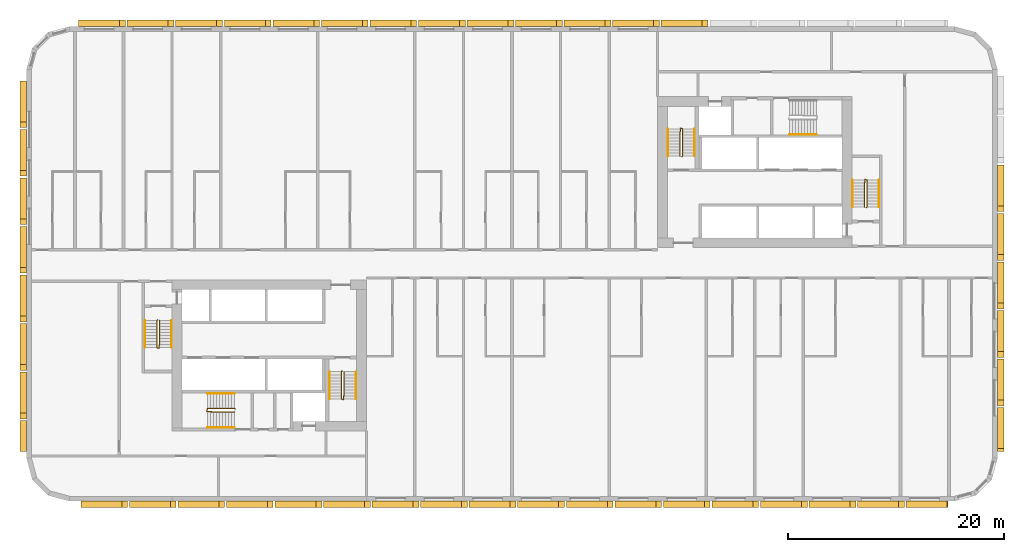
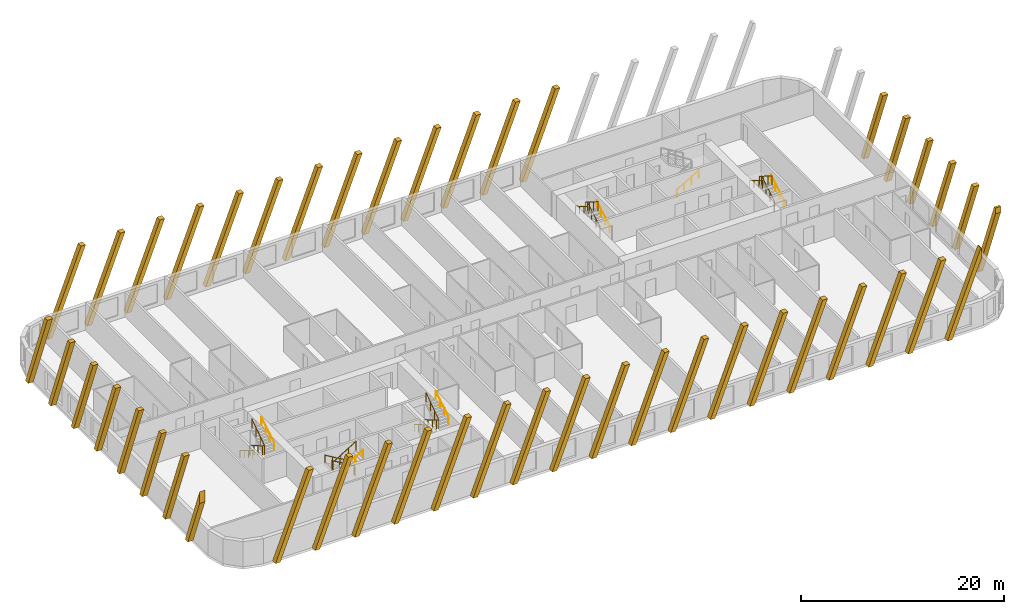
# One storey, part 12 of 13: 45 coverings, 16 railings.
"""IFC4 building model written with IfcOpenShell, lengths in metres."""

from ifc_helpers import new_model, si_unit, direction, frame, origin, origin_2d, place, context, subcontext, project, spatial, polyline, rectangle, circle, outline, extrude, material, material_profile, profile_set, type_object, element, save


model = new_model("IFC4")

# Units and contexts
model_context = context("Model", 3, precision=1e-05, world=origin(), true_north=direction((0.0, 1.0)))
body_context = subcontext(model_context, "Body", "Model", "MODEL_VIEW")
ifc_project = project(units=[si_unit("LENGTHUNIT", "METRE"), si_unit("AREAUNIT", "SQUARE_METRE"), si_unit("VOLUMEUNIT", "CUBIC_METRE"), si_unit("PLANEANGLEUNIT", "RADIAN"), si_unit("MASSUNIT", "GRAM", prefix="KILO")], contexts=[model_context])

# Site, building, storey
site_placement = place(None, origin())
site = spatial("IfcSite", under=ifc_project, at=site_placement, CompositionType="ELEMENT")
building_placement = place(site_placement, origin())
building = spatial("IfcBuilding", under=site, at=building_placement, Name="Kajstack Hotel Tower", CompositionType="ELEMENT")
storey_placement = place(building_placement, frame((0.0, 0.0, 69.89990234375)))
storey = spatial("IfcBuildingStorey", under=building, at=storey_placement, Name="L12", CompositionType="ELEMENT", Elevation=69.89990234375)

# Coverings
ifc_material_1 = material(Name="Terracotta", Category="masonry")
ifc_material_profile = material_profile(ifc_material_1, rectangle(XDim=0.60009765625, YDim=0.5, at=origin_2d()), Name="Terracotta-clad concrete baguette 500 x 600")
ifc_profile_set = profile_set([ifc_material_profile], Name="Terracotta")
covering_type = type_object("IfcCoveringType", Name="BAGUETTE 500x600", PredefinedType="CLADDING", material=ifc_profile_set)
for number, where, z_axis, x_axis, name in (
    (1, (-39.968017578125, -22.0, 0.0), (0.0, -1.0, 0.0), (1.0, 0.0, 0.0), "Baguette L12-03-001"),
    (2, (-35.468017578125, -22.0, 0.0), (0.0, -1.0, 0.0), (1.0, 0.0, 0.0), "Baguette L12-03-005"),
    (3, (-30.968017578125, -22.0, 0.0), (0.0, -1.0, 0.0), (1.0, 0.0, 0.0), "Baguette L12-03-009"),
    (4, (-26.468017578125, -22.0, 0.0), (0.0, -1.0, 0.0), (1.0, 0.0, 0.0), "Baguette L12-03-013"),
    (5, (-21.968017578125, -22.0, 0.0), (0.0, -1.0, 0.0), (1.0, 0.0, 0.0), "Baguette L12-03-017"),
    (6, (-17.468017578125, -22.0, 0.0), (0.0, -1.0, 0.0), (1.0, 0.0, 0.0), "Baguette L12-03-021"),
    (7, (-12.968017578125, -22.0, 0.0), (0.0, -1.0, 0.0), (1.0, 0.0, 0.0), "Baguette L12-03-025"),
    (8, (-8.468017578125, -22.0, 0.0), (0.0, -1.0, 0.0), (1.0, 0.0, 0.0), "Baguette L12-03-029"),
    (9, (-3.968017578125, -22.0, 0.0), (0.0, -1.0, 0.0), (1.0, 0.0, 0.0), "Baguette L12-03-033"),
    (10, (0.531982421875, -22.0, 0.0), (0.0, -1.0, 0.0), (1.0, 0.0, 0.0), "Baguette L12-03-037"),
    (11, (5.031982421875, -22.0, 0.0), (0.0, -1.0, 0.0), (1.0, 0.0, 0.0), "Baguette L12-03-041"),
    (12, (9.531982421875, -22.0, 0.0), (0.0, -1.0, 0.0), (1.0, 0.0, 0.0), "Baguette L12-03-045"),
    (13, (14.031982421875, -22.0, 0.0), (0.0, -1.0, 0.0), (1.0, 0.0, 0.0), "Baguette L12-03-049"),
    (14, (18.531982421875, -22.0, 0.0), (0.0, -1.0, 0.0), (1.0, 0.0, 0.0), "Baguette L12-03-053"),
    (15, (23.031982421875, -22.0, 0.0), (0.0, -1.0, 0.0), (1.0, 0.0, 0.0), "Baguette L12-03-057"),
    (16, (27.531982421875, -22.0, 0.0), (0.0, -1.0, 0.0), (1.0, 0.0, 0.0), "Baguette L12-03-061"),
    (17, (32.031982421875, -22.0, 0.0), (0.0, -1.0, 0.0), (1.0, 0.0, 0.0), "Baguette L12-03-065"),
):
    element("IfcCovering", number, at=place(storey_placement, frame(where, z_axis=z_axis, x_axis=x_axis)), inside=storey, type_object=covering_type, Name=name, PredefinedType="CLADDING", context=body_context, shape_type="SweptSolid", body=[
        extrude(outline(polyline([(3.80029296875, 9.89990234375), (0.0, 0.0), (0.53564453125, 0.0), (4.3359375, 9.89990234375), (3.80029296875, 9.89990234375)])), origin(), (0.0, 0.0, 1.0), 0.60009765625),
    ])
covering_1_placement = place(storey_placement, frame((36.531982421875, -22.0, 0.0), z_axis=(0.0, -1.0, 0.0), x_axis=(1.0, 0.0, 0.0)))
element("IfcCovering", 18, at=covering_1_placement, inside=storey, type_object=covering_type, Name="Baguette L12-03-069", PredefinedType="CLADDING", context=body_context, shape_type="SweptSolid", body=[
    extrude(outline(polyline([(0.53564453125, 0.0), (3.867919921875, 8.681396484375), (3.867919921875, 9.89990234375), (3.80029296875, 9.89990234375), (0.0, 0.0), (0.53564453125, 0.0)])), origin(), (0.0, 0.0, 1.0), 0.60009765625),
])
covering_2_placement = place(storey_placement, frame((45.0, -17.39990234375, 0.0), z_axis=(1.0, 0.0, 0.0), x_axis=(0.0, 1.0, 0.0)))
element("IfcCovering", 19, at=covering_2_placement, inside=storey, type_object=covering_type, Name="Baguette L12-07-001", PredefinedType="CLADDING", context=body_context, shape_type="SweptSolid", body=[
    extrude(outline(polyline([(0.267822265625, 9.89990234375), (0.0, 9.89990234375), (0.0, 9.202392578125), (3.532470703125, 0.0), (4.068115234375, 0.0), (0.267822265625, 9.89990234375)])), origin(), (0.0, 0.0, 1.0), 0.60009765625),
])
for number, where, z_axis, x_axis, name in (
    (20, (45.0, -13.167724609375, 0.0), (1.0, 0.0, 0.0), (0.0, 1.0, 0.0), "Baguette L12-07-005"),
    (21, (45.0, -8.667724609375, 0.0), (1.0, 0.0, 0.0), (0.0, 1.0, 0.0), "Baguette L12-07-009"),
    (22, (45.0, -4.167724609375, 0.0), (1.0, 0.0, 0.0), (0.0, 1.0, 0.0), "Baguette L12-07-013"),
    (23, (45.0, 0.332275390625, 0.0), (1.0, 0.0, 0.0), (0.0, 1.0, 0.0), "Baguette L12-07-017"),
    (24, (45.0, 4.832275390625, 0.0), (1.0, 0.0, 0.0), (0.0, 1.0, 0.0), "Baguette L12-07-021"),
    (25, (18.167724609375, 22.0, 0.0), (0.0, 1.0, 0.0), (-1.0, 0.0, 0.0), "Baguette L12-11-021"),
    (26, (13.667724609375, 22.0, 0.0), (0.0, 1.0, 0.0), (-1.0, 0.0, 0.0), "Baguette L12-11-025"),
    (27, (9.167724609375, 22.0, 0.0), (0.0, 1.0, 0.0), (-1.0, 0.0, 0.0), "Baguette L12-11-029"),
    (28, (4.667724609375, 22.0, 0.0), (0.0, 1.0, 0.0), (-1.0, 0.0, 0.0), "Baguette L12-11-033"),
    (29, (0.167724609375, 22.0, 0.0), (0.0, 1.0, 0.0), (-1.0, 0.0, 0.0), "Baguette L12-11-037"),
    (30, (-4.332275390625, 22.0, 0.0), (0.0, 1.0, 0.0), (-1.0, 0.0, 0.0), "Baguette L12-11-041"),
    (31, (-8.832275390625, 22.0, 0.0), (0.0, 1.0, 0.0), (-1.0, 0.0, 0.0), "Baguette L12-11-045"),
    (32, (-13.332275390625, 22.0, 0.0), (0.0, 1.0, 0.0), (-1.0, 0.0, 0.0), "Baguette L12-11-049"),
    (33, (-17.832275390625, 22.0, 0.0), (0.0, 1.0, 0.0), (-1.0, 0.0, 0.0), "Baguette L12-11-053"),
    (34, (-22.332275390625, 22.0, 0.0), (0.0, 1.0, 0.0), (-1.0, 0.0, 0.0), "Baguette L12-11-057"),
    (35, (-26.832275390625, 22.0, 0.0), (0.0, 1.0, 0.0), (-1.0, 0.0, 0.0), "Baguette L12-11-061"),
    (36, (-31.332275390625, 22.0, 0.0), (0.0, 1.0, 0.0), (-1.0, 0.0, 0.0), "Baguette L12-11-065"),
    (37, (-35.832275390625, 22.0, 0.0), (0.0, 1.0, 0.0), (-1.0, 0.0, 0.0), "Baguette L12-11-069"),
):
    element("IfcCovering", number, at=place(storey_placement, frame(where, z_axis=z_axis, x_axis=x_axis)), inside=storey, type_object=covering_type, Name=name, PredefinedType="CLADDING", context=body_context, shape_type="SweptSolid", body=[
        extrude(outline(polyline([(0.0, 9.89990234375), (3.80029296875, 0.0), (4.3359375, 0.0), (0.53564453125, 9.89990234375), (0.0, 9.89990234375)])), origin(), (0.0, 0.0, 1.0), 0.60009765625),
    ])
for number, where, z_axis, x_axis, name in (
    (38, (-45.0, 16.968017578125, 0.0), (-1.0, 0.0, 0.0), (0.0, -1.0, 0.0), "Baguette L12-15-001"),
    (39, (-45.0, 12.468017578125, 0.0), (-1.0, 0.0, 0.0), (0.0, -1.0, 0.0), "Baguette L12-15-005"),
    (40, (-45.0, 7.968017578125, 0.0), (-1.0, 0.0, 0.0), (0.0, -1.0, 0.0), "Baguette L12-15-009"),
    (41, (-45.0, 3.468017578125, 0.0), (-1.0, 0.0, 0.0), (0.0, -1.0, 0.0), "Baguette L12-15-013"),
    (42, (-45.0, -1.031982421875, 0.0), (-1.0, 0.0, 0.0), (0.0, -1.0, 0.0), "Baguette L12-15-017"),
    (43, (-45.0, -5.531982421875, 0.0), (-1.0, 0.0, 0.0), (0.0, -1.0, 0.0), "Baguette L12-15-021"),
    (44, (-45.0, -10.031982421875, 0.0), (-1.0, 0.0, 0.0), (0.0, -1.0, 0.0), "Baguette L12-15-025"),
):
    element("IfcCovering", number, at=place(storey_placement, frame(where, z_axis=z_axis, x_axis=x_axis)), inside=storey, type_object=covering_type, Name=name, PredefinedType="CLADDING", context=body_context, shape_type="SweptSolid", body=[
        extrude(outline(polyline([(3.80029296875, 9.89990234375), (0.0, 0.0), (0.53564453125, 0.0), (4.3359375, 9.89990234375), (3.80029296875, 9.89990234375)])), origin(), (0.0, 0.0, 1.0), 0.60009765625),
    ])
covering_3_placement = place(storey_placement, frame((-45.0, -14.531982421875, 0.0), z_axis=(-1.0, 0.0, 0.0), x_axis=(0.0, -1.0, 0.0)))
element("IfcCovering", 45, at=covering_3_placement, inside=storey, type_object=covering_type, Name="Baguette L12-15-029", PredefinedType="CLADDING", context=body_context, shape_type="SweptSolid", body=[
    extrude(outline(polyline([(0.53564453125, 0.0), (2.867919921875, 6.076171875), (2.867919921875, 7.471435546875), (0.0, 0.0), (0.53564453125, 0.0)])), origin(), (0.0, 0.0, 1.0), 0.60009765625),
])

# Railings
ifc_material_2 = material(Name="Steel S355J2", Category="steel")
railing_type_1 = type_object("IfcRailingType", Name="Stair guard 1100", PredefinedType="GUARDRAIL", material=ifc_material_2)
railing_1_placement = place(storey_placement, frame((-32.85009765625, -5.199951171875, 0.0)))
element("IfcRailing", 46, at=railing_1_placement, inside=storey, type_object=railing_type_1, Name="L12 W1 stair guard 1", PredefinedType="GUARDRAIL", context=body_context, shape_type="SweptSolid", body=[
    extrude(circle(Radius=0.02392578125, at=origin_2d()), frame((0.0, 0.0, 1.076171875), z_axis=(-0.277450376394, -0.278810427259, 0.919394384522), x_axis=(0.708833529934, -0.705375805398, 0.0)), (0.0, 0.0, 1.0), 0.179443359375),
    extrude(circle(Radius=0.02392578125, at=origin_2d()), frame((-0.0498046875, -0.050048828125, 1.2412109375), z_axis=(0.0, -0.86152411907, 0.507716645641), x_axis=(1.0, 0.0, 0.0)), (0.0, 0.0, 1.0), 2.925048828125),
    extrude(circle(Radius=0.02392578125, at=origin_2d()), frame((-0.0498046875, -2.570068359375, 2.72607421875), z_axis=(0.970072785993, -0.242814311512, 0.0), x_axis=(0.242814311512, 0.970072785993, 0.0)), (0.0, 0.0, 1.0), 0.2060546875),
    extrude(circle(Radius=0.02392578125, at=origin_2d()), frame((0.150146484375, -2.6201171875, 2.72607421875), z_axis=(0.016385308676, 0.841405582595, 0.540155687962), x_axis=(-0.999810440751, 0.019470042781, 0.0)), (0.0, 0.0, 1.0), 3.054443359375),
    extrude(circle(Radius=0.02099609375, at=origin_2d()), origin(), (0.0, 0.0, 1.0), 1.052001953125),
    extrude(circle(Radius=0.02099609375, at=origin_2d()), frame((-0.0498046875, -0.050048828125, 0.1650390625)), (0.0, 0.0, 1.0), 1.052001953125),
    extrude(circle(Radius=0.02099609375, at=origin_2d()), frame((-0.0498046875, -0.89013671875, 0.66015625)), (0.0, 0.0, 1.0), 1.052001953125),
    extrude(circle(Radius=0.02099609375, at=origin_2d()), frame((-0.0498046875, -1.72998046875, 1.155029296875)), (0.0, 0.0, 1.0), 1.052001953125),
    extrude(circle(Radius=0.02099609375, at=origin_2d()), frame((-0.0498046875, -2.570068359375, 1.650146484375)), (0.0, 0.0, 1.0), 1.052001953125),
    extrude(circle(Radius=0.02099609375, at=origin_2d()), frame((0.150146484375, -2.6201171875, 1.650146484375)), (0.0, 0.0, 1.0), 1.052001953125),
    extrude(circle(Radius=0.02099609375, at=origin_2d()), frame((0.166748046875, -1.763427734375, 2.2001953125)), (0.0, 0.0, 1.0), 1.052001953125),
    extrude(circle(Radius=0.02099609375, at=origin_2d()), frame((0.18359375, -0.90673828125, 2.75)), (0.0, 0.0, 1.0), 1.052001953125),
    extrude(circle(Radius=0.02099609375, at=origin_2d()), frame((0.2001953125, -0.050048828125, 3.300048828125)), (0.0, 0.0, 1.0), 1.052001953125),
])
railing_2_placement = place(storey_placement, frame((-15.75, -9.949951171875, 0.0)))
element("IfcRailing", 47, at=railing_2_placement, inside=storey, type_object=railing_type_1, Name="L12 W2 stair guard 1", PredefinedType="GUARDRAIL", context=body_context, shape_type="SweptSolid", body=[
    extrude(circle(Radius=0.02392578125, at=origin_2d()), frame((0.0, 0.0, 1.076171875), z_axis=(-0.278705021027, -0.278705021027, 0.919046801044), x_axis=(0.707106781187, -0.707106781187, 0.0)), (0.0, 0.0, 1.0), 0.1796875),
    extrude(circle(Radius=0.02392578125, at=origin_2d()), frame((-0.050048828125, -0.050048828125, 1.2412109375), z_axis=(0.0, -0.86152411907, 0.507716645641), x_axis=(1.0, 0.0, 0.0)), (0.0, 0.0, 1.0), 2.925048828125),
    extrude(circle(Radius=0.02392578125, at=origin_2d()), frame((-0.050048828125, -2.570068359375, 2.72607421875), z_axis=(0.970072785993, -0.242814311512, 0.0), x_axis=(0.242814311512, 0.970072785993, 0.0)), (0.0, 0.0, 1.0), 0.2060546875),
    extrude(circle(Radius=0.02392578125, at=origin_2d()), frame((0.14990234375, -2.6201171875, 2.72607421875), z_axis=(0.016385308676, 0.841405582595, 0.540155687962), x_axis=(-0.999810440751, 0.019470042781, 0.0)), (0.0, 0.0, 1.0), 3.054443359375),
    extrude(circle(Radius=0.02099609375, at=origin_2d()), origin(), (0.0, 0.0, 1.0), 1.052001953125),
    extrude(circle(Radius=0.02099609375, at=origin_2d()), frame((-0.050048828125, -0.050048828125, 0.1650390625)), (0.0, 0.0, 1.0), 1.052001953125),
    extrude(circle(Radius=0.02099609375, at=origin_2d()), frame((-0.050048828125, -0.89013671875, 0.66015625)), (0.0, 0.0, 1.0), 1.052001953125),
    extrude(circle(Radius=0.02099609375, at=origin_2d()), frame((-0.050048828125, -1.72998046875, 1.155029296875)), (0.0, 0.0, 1.0), 1.052001953125),
    extrude(circle(Radius=0.02099609375, at=origin_2d()), frame((-0.050048828125, -2.570068359375, 1.650146484375)), (0.0, 0.0, 1.0), 1.052001953125),
    extrude(circle(Radius=0.02099609375, at=origin_2d()), frame((0.14990234375, -2.6201171875, 1.650146484375)), (0.0, 0.0, 1.0), 1.052001953125),
    extrude(circle(Radius=0.02099609375, at=origin_2d()), frame((0.16650390625, -1.763427734375, 2.2001953125)), (0.0, 0.0, 1.0), 1.052001953125),
    extrude(circle(Radius=0.02099609375, at=origin_2d()), frame((0.183349609375, -0.90673828125, 2.75)), (0.0, 0.0, 1.0), 1.052001953125),
    extrude(circle(Radius=0.02099609375, at=origin_2d()), frame((0.199951171875, -0.050048828125, 3.300048828125)), (0.0, 0.0, 1.0), 1.052001953125),
])
railing_3_placement = place(storey_placement, frame((-25.64990234375, -13.449951171875, 0.0)))
element("IfcRailing", 48, at=railing_3_placement, inside=storey, type_object=railing_type_1, Name="L12 W3 stair guard 1", PredefinedType="GUARDRAIL", context=body_context, shape_type="SweptSolid", body=[
    extrude(circle(Radius=0.02392578125, at=origin_2d()), frame((0.0, 0.0, 1.076171875), z_axis=(-0.278705021027, 0.278705021027, 0.919046801044), x_axis=(-0.707106781187, -0.707106781187, 0.0)), (0.0, 0.0, 1.0), 0.1796875),
    extrude(circle(Radius=0.02392578125, at=origin_2d()), frame((-0.050048828125, 0.050048828125, 1.2412109375), z_axis=(-0.86152411907, 0.0, 0.507716645641), x_axis=(0.0, -1.0, 0.0)), (0.0, 0.0, 1.0), 2.925048828125),
    extrude(circle(Radius=0.02392578125, at=origin_2d()), frame((-2.570068359375, 0.050048828125, 2.72607421875), z_axis=(-0.164529134168, -0.986372223864, 0.0), x_axis=(0.986372223864, -0.164529134168, 0.0)), (0.0, 0.0, 1.0), 0.30419921875),
    extrude(circle(Radius=0.02392578125, at=origin_2d()), frame((-2.6201171875, -0.25, 2.72607421875), z_axis=(0.841405582595, -0.016385308676, 0.540155687962), x_axis=(0.019470042781, 0.999810440751, 0.0)), (0.0, 0.0, 1.0), 3.054443359375),
    extrude(circle(Radius=0.02099609375, at=origin_2d()), origin(), (0.0, 0.0, 1.0), 1.052001953125),
    extrude(circle(Radius=0.02099609375, at=origin_2d()), frame((-0.050048828125, 0.050048828125, 0.1650390625)), (0.0, 0.0, 1.0), 1.052001953125),
    extrude(circle(Radius=0.02099609375, at=origin_2d()), frame((-0.89013671875, 0.050048828125, 0.66015625)), (0.0, 0.0, 1.0), 1.052001953125),
    extrude(circle(Radius=0.02099609375, at=origin_2d()), frame((-1.72998046875, 0.050048828125, 1.155029296875)), (0.0, 0.0, 1.0), 1.052001953125),
    extrude(circle(Radius=0.02099609375, at=origin_2d()), frame((-2.570068359375, 0.050048828125, 1.650146484375)), (0.0, 0.0, 1.0), 1.052001953125),
    extrude(circle(Radius=0.02099609375, at=origin_2d()), frame((-2.6201171875, -0.25, 1.650146484375)), (0.0, 0.0, 1.0), 1.052001953125),
    extrude(circle(Radius=0.02099609375, at=origin_2d()), frame((-1.763427734375, -0.2666015625, 2.2001953125)), (0.0, 0.0, 1.0), 1.052001953125),
    extrude(circle(Radius=0.02099609375, at=origin_2d()), frame((-0.90673828125, -0.283447265625, 2.75)), (0.0, 0.0, 1.0), 1.052001953125),
    extrude(circle(Radius=0.02099609375, at=origin_2d()), frame((-0.050048828125, -0.300048828125, 3.300048828125)), (0.0, 0.0, 1.0), 1.052001953125),
])
railing_4_placement = place(storey_placement, frame((32.85009765625, 5.199951171875, 0.0)))
element("IfcRailing", 49, at=railing_4_placement, inside=storey, type_object=railing_type_1, Name="L12 E1 stair guard 1", PredefinedType="GUARDRAIL", context=body_context, shape_type="SweptSolid", body=[
    extrude(circle(Radius=0.02392578125, at=origin_2d()), frame((0.0, 0.0, 1.076171875), z_axis=(0.277450376394, 0.278810427259, 0.919394384522), x_axis=(-0.708833529934, 0.705375805398, 0.0)), (0.0, 0.0, 1.0), 0.179443359375),
    extrude(circle(Radius=0.02392578125, at=origin_2d()), frame((0.0498046875, 0.050048828125, 1.2412109375), z_axis=(0.0, 0.86152411907, 0.507716645641), x_axis=(-1.0, 0.0, 0.0)), (0.0, 0.0, 1.0), 2.925048828125),
    extrude(circle(Radius=0.02392578125, at=origin_2d()), frame((0.0498046875, 2.570068359375, 2.72607421875), z_axis=(-0.970072785993, 0.242814311512, 0.0), x_axis=(-0.242814311512, -0.970072785993, 0.0)), (0.0, 0.0, 1.0), 0.2060546875),
    extrude(circle(Radius=0.02392578125, at=origin_2d()), frame((-0.150146484375, 2.6201171875, 2.72607421875), z_axis=(-0.016385308676, -0.841405582595, 0.540155687962), x_axis=(0.999810440751, -0.019470042781, 0.0)), (0.0, 0.0, 1.0), 3.054443359375),
    extrude(circle(Radius=0.02099609375, at=origin_2d()), origin(), (0.0, 0.0, 1.0), 1.052001953125),
    extrude(circle(Radius=0.02099609375, at=origin_2d()), frame((0.0498046875, 0.050048828125, 0.1650390625)), (0.0, 0.0, 1.0), 1.052001953125),
    extrude(circle(Radius=0.02099609375, at=origin_2d()), frame((0.0498046875, 0.89013671875, 0.66015625)), (0.0, 0.0, 1.0), 1.052001953125),
    extrude(circle(Radius=0.02099609375, at=origin_2d()), frame((0.0498046875, 1.72998046875, 1.155029296875)), (0.0, 0.0, 1.0), 1.052001953125),
    extrude(circle(Radius=0.02099609375, at=origin_2d()), frame((0.0498046875, 2.570068359375, 1.650146484375)), (0.0, 0.0, 1.0), 1.052001953125),
    extrude(circle(Radius=0.02099609375, at=origin_2d()), frame((-0.150146484375, 2.6201171875, 1.650146484375)), (0.0, 0.0, 1.0), 1.052001953125),
    extrude(circle(Radius=0.02099609375, at=origin_2d()), frame((-0.166748046875, 1.763427734375, 2.2001953125)), (0.0, 0.0, 1.0), 1.052001953125),
    extrude(circle(Radius=0.02099609375, at=origin_2d()), frame((-0.18359375, 0.90673828125, 2.75)), (0.0, 0.0, 1.0), 1.052001953125),
    extrude(circle(Radius=0.02099609375, at=origin_2d()), frame((-0.2001953125, 0.050048828125, 3.300048828125)), (0.0, 0.0, 1.0), 1.052001953125),
])
railing_5_placement = place(storey_placement, frame((15.75, 9.949951171875, 0.0)))
element("IfcRailing", 50, at=railing_5_placement, inside=storey, type_object=railing_type_1, Name="L12 E2 stair guard 1", PredefinedType="GUARDRAIL", context=body_context, shape_type="SweptSolid", body=[
    extrude(circle(Radius=0.02392578125, at=origin_2d()), frame((0.0, 0.0, 1.076171875), z_axis=(0.278705021027, 0.278705021027, 0.919046801044), x_axis=(-0.707106781187, 0.707106781187, 0.0)), (0.0, 0.0, 1.0), 0.1796875),
    extrude(circle(Radius=0.02392578125, at=origin_2d()), frame((0.050048828125, 0.050048828125, 1.2412109375), z_axis=(0.0, 0.86152411907, 0.507716645641), x_axis=(-1.0, 0.0, 0.0)), (0.0, 0.0, 1.0), 2.925048828125),
    extrude(circle(Radius=0.02392578125, at=origin_2d()), frame((0.050048828125, 2.570068359375, 2.72607421875), z_axis=(-0.970072785993, 0.242814311512, 0.0), x_axis=(-0.242814311512, -0.970072785993, 0.0)), (0.0, 0.0, 1.0), 0.2060546875),
    extrude(circle(Radius=0.02392578125, at=origin_2d()), frame((-0.14990234375, 2.6201171875, 2.72607421875), z_axis=(-0.016385308676, -0.841405582595, 0.540155687962), x_axis=(0.999810440751, -0.019470042781, 0.0)), (0.0, 0.0, 1.0), 3.054443359375),
    extrude(circle(Radius=0.02099609375, at=origin_2d()), origin(), (0.0, 0.0, 1.0), 1.052001953125),
    extrude(circle(Radius=0.02099609375, at=origin_2d()), frame((0.050048828125, 0.050048828125, 0.1650390625)), (0.0, 0.0, 1.0), 1.052001953125),
    extrude(circle(Radius=0.02099609375, at=origin_2d()), frame((0.050048828125, 0.89013671875, 0.66015625)), (0.0, 0.0, 1.0), 1.052001953125),
    extrude(circle(Radius=0.02099609375, at=origin_2d()), frame((0.050048828125, 1.72998046875, 1.155029296875)), (0.0, 0.0, 1.0), 1.052001953125),
    extrude(circle(Radius=0.02099609375, at=origin_2d()), frame((0.050048828125, 2.570068359375, 1.650146484375)), (0.0, 0.0, 1.0), 1.052001953125),
    extrude(circle(Radius=0.02099609375, at=origin_2d()), frame((-0.14990234375, 2.6201171875, 1.650146484375)), (0.0, 0.0, 1.0), 1.052001953125),
    extrude(circle(Radius=0.02099609375, at=origin_2d()), frame((-0.16650390625, 1.763427734375, 2.2001953125)), (0.0, 0.0, 1.0), 1.052001953125),
    extrude(circle(Radius=0.02099609375, at=origin_2d()), frame((-0.183349609375, 0.90673828125, 2.75)), (0.0, 0.0, 1.0), 1.052001953125),
    extrude(circle(Radius=0.02099609375, at=origin_2d()), frame((-0.199951171875, 0.050048828125, 3.300048828125)), (0.0, 0.0, 1.0), 1.052001953125),
])
railing_type_2 = type_object("IfcRailingType", Name="Stair handrail 900", PredefinedType="HANDRAIL", material=ifc_material_2)
railing_6_placement = place(storey_placement, frame((-34.0, -5.25, 0.1650390625)))
element("IfcRailing", 51, at=railing_6_placement, inside=storey, type_object=railing_type_2, Name="L12 W1 stair handrail 1", PredefinedType="HANDRAIL", context=body_context, shape_type="SweptSolid", body=[
    extrude(circle(Radius=0.02392578125, at=origin_2d()), frame((0.0, 0.0, 0.8759765625), z_axis=(0.0, -0.86152411907, 0.507716645641), x_axis=(1.0, 0.0, 0.0)), (0.0, 0.0, 1.0), 2.925048828125),
    extrude(circle(Radius=0.02099609375, at=origin_2d()), origin(), (0.0, 0.0, 1.0), 0.851806640625),
    extrude(circle(Radius=0.02099609375, at=origin_2d()), frame((0.0, -0.840087890625, 0.4951171875)), (0.0, 0.0, 1.0), 0.851806640625),
    extrude(circle(Radius=0.02099609375, at=origin_2d()), frame((0.0, -1.679931640625, 0.989990234375)), (0.0, 0.0, 1.0), 0.851806640625),
    extrude(circle(Radius=0.02099609375, at=origin_2d()), frame((0.0, -2.52001953125, 1.485107421875)), (0.0, 0.0, 1.0), 0.851806640625),
])
railing_7_placement = place(storey_placement, frame((-31.550048828125, -7.77001953125, 1.815185546875)))
element("IfcRailing", 52, at=railing_7_placement, inside=storey, type_object=railing_type_2, Name="L12 W1 stair handrail 2", PredefinedType="HANDRAIL", context=body_context, shape_type="SweptSolid", body=[
    extrude(circle(Radius=0.02392578125, at=origin_2d()), frame((0.0, 0.0, 0.8759765625), z_axis=(0.0, 0.861560626758, 0.507654692109), x_axis=(-1.0, 0.0, 0.0)), (0.0, 0.0, 1.0), 2.925048828125),
    extrude(circle(Radius=0.02099609375, at=origin_2d()), origin(), (0.0, 0.0, 1.0), 0.851806640625),
    extrude(circle(Radius=0.02099609375, at=origin_2d()), frame((0.0, 0.840087890625, 0.494873046875)), (0.0, 0.0, 1.0), 0.851806640625),
    extrude(circle(Radius=0.02099609375, at=origin_2d()), frame((0.0, 1.679931640625, 0.989990234375)), (0.0, 0.0, 1.0), 0.851806640625),
    extrude(circle(Radius=0.02099609375, at=origin_2d()), frame((0.0, 2.52001953125, 1.48486328125)), (0.0, 0.0, 1.0), 0.851806640625),
])
railing_8_placement = place(storey_placement, frame((-16.89990234375, -10.0, 0.1650390625)))
element("IfcRailing", 53, at=railing_8_placement, inside=storey, type_object=railing_type_2, Name="L12 W2 stair handrail 1", PredefinedType="HANDRAIL", context=body_context, shape_type="SweptSolid", body=[
    extrude(circle(Radius=0.02392578125, at=origin_2d()), frame((0.0, 0.0, 0.8759765625), z_axis=(0.0, -0.86152411907, 0.507716645641), x_axis=(1.0, 0.0, 0.0)), (0.0, 0.0, 1.0), 2.925048828125),
    extrude(circle(Radius=0.02099609375, at=origin_2d()), origin(), (0.0, 0.0, 1.0), 0.851806640625),
    extrude(circle(Radius=0.02099609375, at=origin_2d()), frame((0.0, -0.840087890625, 0.4951171875)), (0.0, 0.0, 1.0), 0.851806640625),
    extrude(circle(Radius=0.02099609375, at=origin_2d()), frame((0.0, -1.679931640625, 0.989990234375)), (0.0, 0.0, 1.0), 0.851806640625),
    extrude(circle(Radius=0.02099609375, at=origin_2d()), frame((0.0, -2.52001953125, 1.485107421875)), (0.0, 0.0, 1.0), 0.851806640625),
])
railing_9_placement = place(storey_placement, frame((-14.449951171875, -12.52001953125, 1.815185546875)))
element("IfcRailing", 54, at=railing_9_placement, inside=storey, type_object=railing_type_2, Name="L12 W2 stair handrail 2", PredefinedType="HANDRAIL", context=body_context, shape_type="SweptSolid", body=[
    extrude(circle(Radius=0.02392578125, at=origin_2d()), frame((0.0, 0.0, 0.8759765625), z_axis=(0.0, 0.861560626758, 0.507654692109), x_axis=(-1.0, 0.0, 0.0)), (0.0, 0.0, 1.0), 2.925048828125),
    extrude(circle(Radius=0.02099609375, at=origin_2d()), origin(), (0.0, 0.0, 1.0), 0.851806640625),
    extrude(circle(Radius=0.02099609375, at=origin_2d()), frame((0.0, 0.840087890625, 0.494873046875)), (0.0, 0.0, 1.0), 0.851806640625),
    extrude(circle(Radius=0.02099609375, at=origin_2d()), frame((0.0, 1.679931640625, 0.989990234375)), (0.0, 0.0, 1.0), 0.851806640625),
    extrude(circle(Radius=0.02099609375, at=origin_2d()), frame((0.0, 2.52001953125, 1.48486328125)), (0.0, 0.0, 1.0), 0.851806640625),
])
railing_10_placement = place(storey_placement, frame((-25.699951171875, -12.0, 0.1650390625)))
element("IfcRailing", 55, at=railing_10_placement, inside=storey, type_object=railing_type_2, Name="L12 W3 stair handrail 1", PredefinedType="HANDRAIL", context=body_context, shape_type="SweptSolid", body=[
    extrude(circle(Radius=0.02392578125, at=origin_2d()), frame((0.0, 0.0, 0.8759765625), z_axis=(-0.86152411907, 0.0, 0.507716645641), x_axis=(0.0, -1.0, 0.0)), (0.0, 0.0, 1.0), 2.925048828125),
    extrude(circle(Radius=0.02099609375, at=origin_2d()), origin(), (0.0, 0.0, 1.0), 0.851806640625),
    extrude(circle(Radius=0.02099609375, at=origin_2d()), frame((-0.840087890625, 0.0, 0.4951171875)), (0.0, 0.0, 1.0), 0.851806640625),
    extrude(circle(Radius=0.02099609375, at=origin_2d()), frame((-1.679931640625, 0.0, 0.989990234375)), (0.0, 0.0, 1.0), 0.851806640625),
    extrude(circle(Radius=0.02099609375, at=origin_2d()), frame((-2.52001953125, 0.0, 1.485107421875)), (0.0, 0.0, 1.0), 0.851806640625),
])
railing_11_placement = place(storey_placement, frame((-28.219970703125, -15.14990234375, 1.815185546875)))
element("IfcRailing", 56, at=railing_11_placement, inside=storey, type_object=railing_type_2, Name="L12 W3 stair handrail 2", PredefinedType="HANDRAIL", context=body_context, shape_type="SweptSolid", body=[
    extrude(circle(Radius=0.02392578125, at=origin_2d()), frame((0.0, 0.0, 0.8759765625), z_axis=(0.861560626758, 0.0, 0.507654692109), x_axis=(0.0, 1.0, 0.0)), (0.0, 0.0, 1.0), 2.925048828125),
    extrude(circle(Radius=0.02099609375, at=origin_2d()), origin(), (0.0, 0.0, 1.0), 0.851806640625),
    extrude(circle(Radius=0.02099609375, at=origin_2d()), frame((0.840087890625, 0.0, 0.494873046875)), (0.0, 0.0, 1.0), 0.851806640625),
    extrude(circle(Radius=0.02099609375, at=origin_2d()), frame((1.679931640625, 0.0, 0.989990234375)), (0.0, 0.0, 1.0), 0.851806640625),
    extrude(circle(Radius=0.02099609375, at=origin_2d()), frame((2.52001953125, 0.0, 1.48486328125)), (0.0, 0.0, 1.0), 0.851806640625),
])
railing_12_placement = place(storey_placement, frame((34.0, 5.25, 0.1650390625)))
element("IfcRailing", 57, at=railing_12_placement, inside=storey, type_object=railing_type_2, Name="L12 E1 stair handrail 1", PredefinedType="HANDRAIL", context=body_context, shape_type="SweptSolid", body=[
    extrude(circle(Radius=0.02392578125, at=origin_2d()), frame((0.0, 0.0, 0.8759765625), z_axis=(0.0, 0.86152411907, 0.507716645641), x_axis=(-1.0, 0.0, 0.0)), (0.0, 0.0, 1.0), 2.925048828125),
    extrude(circle(Radius=0.02099609375, at=origin_2d()), origin(), (0.0, 0.0, 1.0), 0.851806640625),
    extrude(circle(Radius=0.02099609375, at=origin_2d()), frame((0.0, 0.840087890625, 0.4951171875)), (0.0, 0.0, 1.0), 0.851806640625),
    extrude(circle(Radius=0.02099609375, at=origin_2d()), frame((0.0, 1.679931640625, 0.989990234375)), (0.0, 0.0, 1.0), 0.851806640625),
    extrude(circle(Radius=0.02099609375, at=origin_2d()), frame((0.0, 2.52001953125, 1.485107421875)), (0.0, 0.0, 1.0), 0.851806640625),
])
railing_13_placement = place(storey_placement, frame((31.550048828125, 7.77001953125, 1.815185546875)))
element("IfcRailing", 58, at=railing_13_placement, inside=storey, type_object=railing_type_2, Name="L12 E1 stair handrail 2", PredefinedType="HANDRAIL", context=body_context, shape_type="SweptSolid", body=[
    extrude(circle(Radius=0.02392578125, at=origin_2d()), frame((0.0, 0.0, 0.8759765625), z_axis=(0.0, -0.861560626758, 0.507654692109), x_axis=(1.0, 0.0, 0.0)), (0.0, 0.0, 1.0), 2.925048828125),
    extrude(circle(Radius=0.02099609375, at=origin_2d()), origin(), (0.0, 0.0, 1.0), 0.851806640625),
    extrude(circle(Radius=0.02099609375, at=origin_2d()), frame((0.0, -0.840087890625, 0.494873046875)), (0.0, 0.0, 1.0), 0.851806640625),
    extrude(circle(Radius=0.02099609375, at=origin_2d()), frame((0.0, -1.679931640625, 0.989990234375)), (0.0, 0.0, 1.0), 0.851806640625),
    extrude(circle(Radius=0.02099609375, at=origin_2d()), frame((0.0, -2.52001953125, 1.48486328125)), (0.0, 0.0, 1.0), 0.851806640625),
])
railing_14_placement = place(storey_placement, frame((16.89990234375, 10.0, 0.1650390625)))
element("IfcRailing", 59, at=railing_14_placement, inside=storey, type_object=railing_type_2, Name="L12 E2 stair handrail 1", PredefinedType="HANDRAIL", context=body_context, shape_type="SweptSolid", body=[
    extrude(circle(Radius=0.02392578125, at=origin_2d()), frame((0.0, 0.0, 0.8759765625), z_axis=(0.0, 0.86152411907, 0.507716645641), x_axis=(-1.0, 0.0, 0.0)), (0.0, 0.0, 1.0), 2.925048828125),
    extrude(circle(Radius=0.02099609375, at=origin_2d()), origin(), (0.0, 0.0, 1.0), 0.851806640625),
    extrude(circle(Radius=0.02099609375, at=origin_2d()), frame((0.0, 0.840087890625, 0.4951171875)), (0.0, 0.0, 1.0), 0.851806640625),
    extrude(circle(Radius=0.02099609375, at=origin_2d()), frame((0.0, 1.679931640625, 0.989990234375)), (0.0, 0.0, 1.0), 0.851806640625),
    extrude(circle(Radius=0.02099609375, at=origin_2d()), frame((0.0, 2.52001953125, 1.485107421875)), (0.0, 0.0, 1.0), 0.851806640625),
])
railing_15_placement = place(storey_placement, frame((14.449951171875, 12.52001953125, 1.815185546875)))
element("IfcRailing", 60, at=railing_15_placement, inside=storey, type_object=railing_type_2, Name="L12 E2 stair handrail 2", PredefinedType="HANDRAIL", context=body_context, shape_type="SweptSolid", body=[
    extrude(circle(Radius=0.02392578125, at=origin_2d()), frame((0.0, 0.0, 0.8759765625), z_axis=(0.0, -0.861560626758, 0.507654692109), x_axis=(1.0, 0.0, 0.0)), (0.0, 0.0, 1.0), 2.925048828125),
    extrude(circle(Radius=0.02099609375, at=origin_2d()), origin(), (0.0, 0.0, 1.0), 0.851806640625),
    extrude(circle(Radius=0.02099609375, at=origin_2d()), frame((0.0, -0.840087890625, 0.494873046875)), (0.0, 0.0, 1.0), 0.851806640625),
    extrude(circle(Radius=0.02099609375, at=origin_2d()), frame((0.0, -1.679931640625, 0.989990234375)), (0.0, 0.0, 1.0), 0.851806640625),
    extrude(circle(Radius=0.02099609375, at=origin_2d()), frame((0.0, -2.52001953125, 1.48486328125)), (0.0, 0.0, 1.0), 0.851806640625),
])
railing_16_placement = place(storey_placement, frame((25.699951171875, 12.0, 0.1650390625)))
element("IfcRailing", 61, at=railing_16_placement, inside=storey, type_object=railing_type_2, Name="L12 E3 stair handrail 1", PredefinedType="HANDRAIL", context=body_context, shape_type="SweptSolid", body=[
    extrude(circle(Radius=0.02392578125, at=origin_2d()), frame((0.0, 0.0, 0.8759765625), z_axis=(0.86152411907, 0.0, 0.507716645641), x_axis=(0.0, 1.0, 0.0)), (0.0, 0.0, 1.0), 2.925048828125),
    extrude(circle(Radius=0.02099609375, at=origin_2d()), origin(), (0.0, 0.0, 1.0), 0.851806640625),
    extrude(circle(Radius=0.02099609375, at=origin_2d()), frame((0.840087890625, 0.0, 0.4951171875)), (0.0, 0.0, 1.0), 0.851806640625),
    extrude(circle(Radius=0.02099609375, at=origin_2d()), frame((1.679931640625, 0.0, 0.989990234375)), (0.0, 0.0, 1.0), 0.851806640625),
    extrude(circle(Radius=0.02099609375, at=origin_2d()), frame((2.52001953125, 0.0, 1.485107421875)), (0.0, 0.0, 1.0), 0.851806640625),
])

save(model, "model.ifc")
